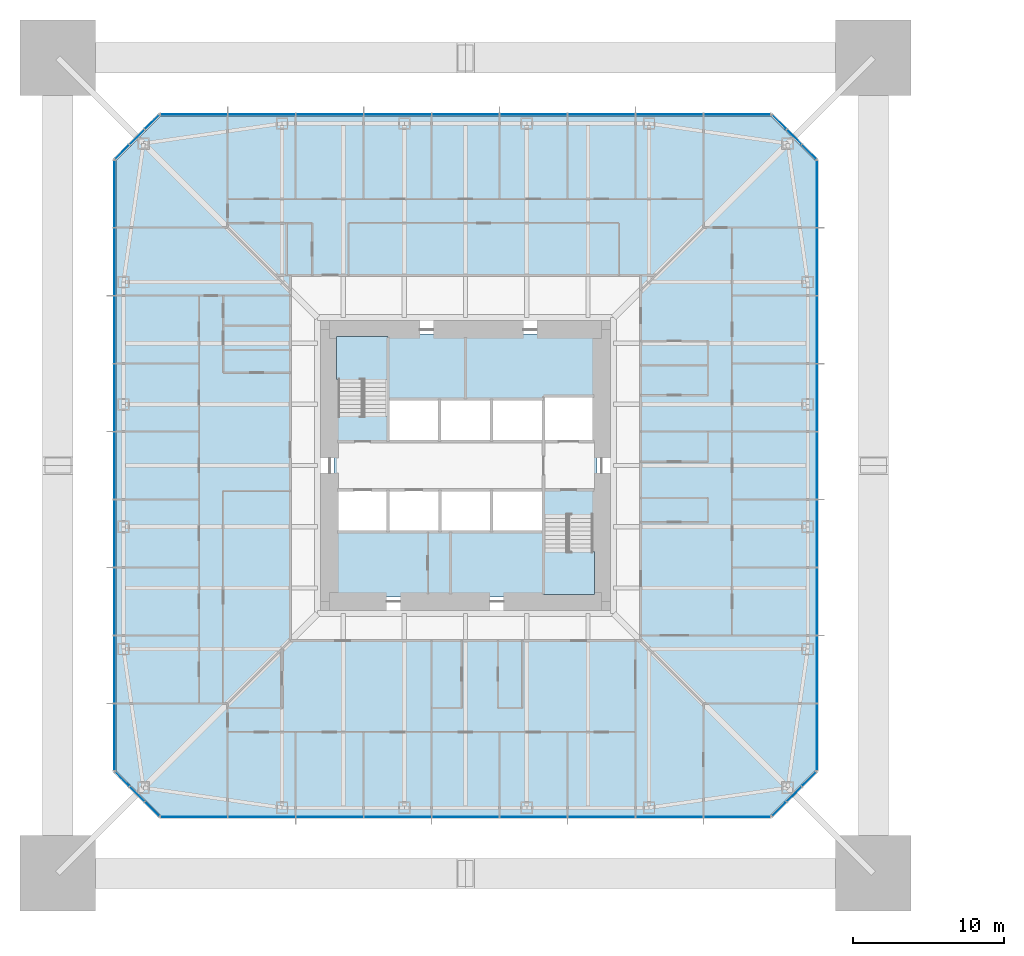
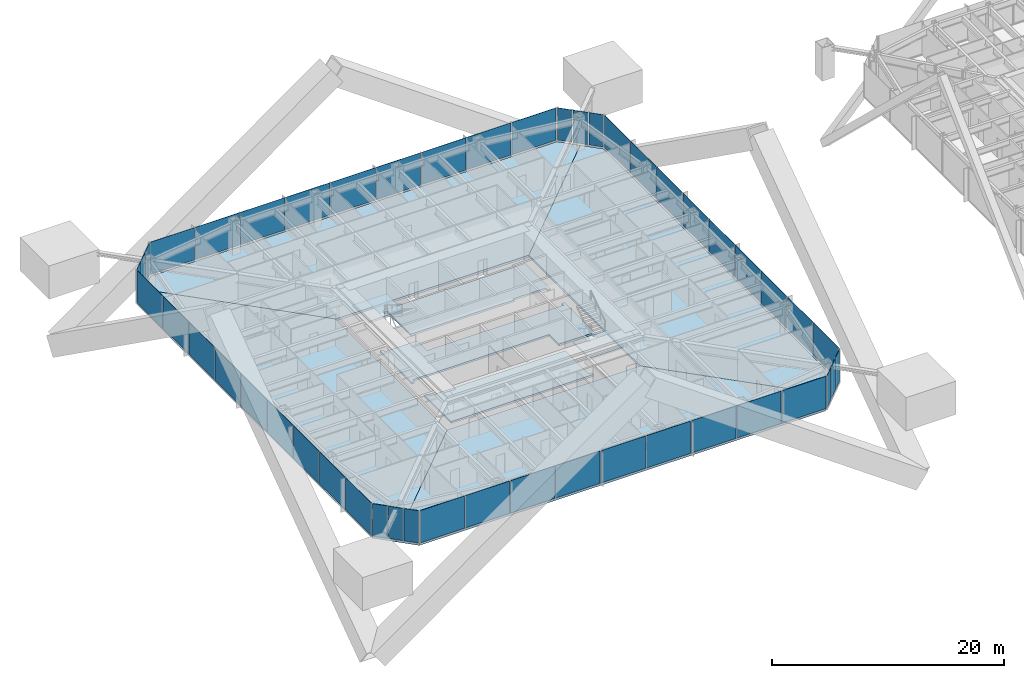
# One storey, part 14 of 28: 48 plates, 9 slabs, 10 elements without a shape of their own.
"""IFC4 building model written with IfcOpenShell, lengths in metres."""

from ifc_helpers import new_model, si_unit, direction, frame, origin, origin_2d, place, context, subcontext, project, spatial, polyline, rectangle, outline, extrude, material, layer, layer_set, constituent, constituent_set, type_object, element, aggregate, save


model = new_model("IFC4")

# Units and contexts
model_context = context("Model", 3, precision=1e-05, world=origin(), true_north=direction((0.0, 1.0)))
body_context = subcontext(model_context, "Body", "Model", "MODEL_VIEW")
ifc_project = project(units=[si_unit("LENGTHUNIT", "METRE"), si_unit("AREAUNIT", "SQUARE_METRE"), si_unit("VOLUMEUNIT", "CUBIC_METRE"), si_unit("PLANEANGLEUNIT", "RADIAN"), si_unit("MASSUNIT", "GRAM", prefix="KILO")], contexts=[model_context])

# Site, building, storey
site_placement = place(None, origin())
site = spatial("IfcSite", under=ifc_project, at=site_placement, CompositionType="ELEMENT")
building_placement = place(site_placement, origin())
building = spatial("IfcBuilding", under=site, at=building_placement, Name="Iwan Alto Co-Living Towers", CompositionType="ELEMENT")
storey_placement = place(building_placement, frame((0.0, 0.0, 43.0)))
storey = spatial("IfcBuildingStorey", under=building, at=storey_placement, Name="L11", CompositionType="ELEMENT", Elevation=43.0)

# Slabs
ifc_material_1 = material(Name="Concrete f'c 30 MPa", Category="concrete")
ifc_layer_1 = layer(ifc_material_1, 0.199951171875)
ifc_layer_set_1 = layer_set([ifc_layer_1], Name="CORE FLOOR SLAB 200")
slab_type_1 = type_object("IfcSlabType", Name="CORE FLOOR SLAB 200", PredefinedType="FLOOR", material=ifc_layer_set_1)
slab_1_placement = place(storey_placement, frame((0.0, 0.0, -0.199951171875)))
element("IfcSlab", 1, at=slab_1_placement, inside=storey, type_object=slab_type_1, Name="T1 core floor L11", PredefinedType="FLOOR", context=body_context, shape_type="SweptSolid", body=[
    extrude(outline(polyline([(8.699951171875, -3.580078125), (8.39990234375, -3.580078125), (8.39990234375, -3.27001953125), (5.14990234375, -3.27001953125), (5.14990234375, -1.60009765625), (1.72509765625, -1.60009765625), (-1.699951171875, -1.60009765625), (-5.125, -1.60009765625), (-8.39990234375, -1.60009765625), (-8.39990234375, -1.909912109375), (-8.699951171875, -1.909912109375), (-8.699951171875, 3.580078125), (-8.39990234375, 3.580078125), (-8.39990234375, 3.27001953125), (-5.14990234375, 3.27001953125), (-5.14990234375, 1.60009765625), (-1.717041015625, 1.60009765625), (1.717041015625, 1.60009765625), (5.14990234375, 1.60009765625), (8.39990234375, 1.60009765625), (8.39990234375, 1.909912109375), (8.699951171875, 1.909912109375), (8.699951171875, -3.580078125)])), origin(), (0.0, 0.0, 1.0), 0.199951171875),
])
slab_2_placement = place(storey_placement, frame((0.0, 0.0, -0.199951171875)))
element("IfcSlab", 2, at=slab_2_placement, inside=storey, type_object=slab_type_1, Name="T1 core floor L11", PredefinedType="FLOOR", context=body_context, shape_type="SweptSolid", body=[
    extrude(outline(polyline([(-1.699951171875, -4.39990234375), (1.72509765625, -4.39990234375), (5.14990234375, -4.39990234375), (5.14990234375, -8.39990234375), (5.4599609375, -8.39990234375), (5.4599609375, -8.699951171875), (-8.699951171875, -8.699951171875), (-8.699951171875, -4.090087890625), (-8.39990234375, -4.090087890625), (-8.39990234375, -4.39990234375), (-5.125, -4.39990234375), (-1.699951171875, -4.39990234375)])), origin(), (0.0, 0.0, 1.0), 0.199951171875),
])
slab_3_placement = place(storey_placement, frame((0.0, 0.0, -0.199951171875)))
element("IfcSlab", 3, at=slab_3_placement, inside=storey, type_object=slab_type_1, Name="T1 core floor L11", PredefinedType="FLOOR", context=body_context, shape_type="SweptSolid", body=[
    extrude(outline(polyline([(1.717041015625, 4.39990234375), (-1.717041015625, 4.39990234375), (-5.14990234375, 4.39990234375), (-5.14990234375, 8.39990234375), (-5.4599609375, 8.39990234375), (-5.4599609375, 8.699951171875), (8.699951171875, 8.699951171875), (8.699951171875, 4.2900390625), (8.39990234375, 4.2900390625), (8.39990234375, 4.60009765625), (5.14990234375, 4.60009765625), (5.14990234375, 4.39990234375), (1.717041015625, 4.39990234375)])), origin(), (0.0, 0.0, 1.0), 0.199951171875),
])

# Curtain wall, plates
ifc_material_2 = material(Name="Bronze aluminium unitised frame", Category="aluminium")
curtain_wall_type_1 = type_object("IfcCurtainWallType", Name="CURTAIN WALL CW-A", PredefinedType="NOTDEFINED", material=ifc_material_2)
curtain_wall_1_placement = place(storey_placement, origin())
curtain_wall_1 = element("IfcCurtainWall", 4, at=curtain_wall_1_placement, inside=storey, type_object=curtain_wall_type_1, Name="T1 curtain wall S L11", PredefinedType="NOTDEFINED")
ifc_material_3 = material(Name="Bronze-tinted insulating glass", Category="glass")
ifc_layer_2 = layer(ifc_material_3, 0.031982421875)
ifc_layer_set_2 = layer_set([ifc_layer_2], Name="CW-A PANEL TINTED IGU 32")
plate_type_1 = type_object("IfcPlateType", Name="CW-A PANEL TINTED IGU 32", PredefinedType="CURTAIN_PANEL", material=ifc_layer_set_2)
plate_1_placement = place(storey_placement, frame((-17.97998046875, -23.25, 0.10009765625), z_axis=(0.0, 0.0, 1.0), x_axis=(1.0, 0.0, 0.0)))
plate_1 = element("IfcPlate", 5, at=plate_1_placement, type_object=plate_type_1, Name="CW-A panel 1.1", PredefinedType="CURTAIN_PANEL", context=body_context, shape_type="SweptSolid", body=[
    extrude(rectangle(XDim=4.3798828125, YDim=0.031982421875, at=origin_2d()), origin(), (0.0, 0.0, 1.0), 3.39990234375),
])
plate_2_placement = place(storey_placement, frame((-13.5, -23.25, 0.10009765625), z_axis=(0.0, 0.0, 1.0), x_axis=(1.0, 0.0, 0.0)))
plate_2 = element("IfcPlate", 6, at=plate_2_placement, type_object=plate_type_1, Name="CW-A panel 2.1", PredefinedType="CURTAIN_PANEL", context=body_context, shape_type="SweptSolid", body=[
    extrude(rectangle(XDim=4.419921875, YDim=0.031982421875, at=origin_2d()), origin(), (0.0, 0.0, 1.0), 3.39990234375),
])
plate_3_placement = place(storey_placement, frame((-9.0, -23.25, 0.10009765625), z_axis=(0.0, 0.0, 1.0), x_axis=(1.0, 0.0, 0.0)))
plate_3 = element("IfcPlate", 7, at=plate_3_placement, type_object=plate_type_1, Name="CW-A panel 3.1", PredefinedType="CURTAIN_PANEL", context=body_context, shape_type="SweptSolid", body=[
    extrude(rectangle(XDim=4.419921875, YDim=0.031982421875, at=origin_2d()), origin(), (0.0, 0.0, 1.0), 3.39990234375),
])
plate_4_placement = place(storey_placement, frame((-4.5, -23.25, 0.10009765625), z_axis=(0.0, 0.0, 1.0), x_axis=(1.0, 0.0, 0.0)))
plate_4 = element("IfcPlate", 8, at=plate_4_placement, type_object=plate_type_1, Name="CW-A panel 4.1", PredefinedType="CURTAIN_PANEL", context=body_context, shape_type="SweptSolid", body=[
    extrude(rectangle(XDim=4.419921875, YDim=0.031982421875, at=origin_2d()), origin(), (0.0, 0.0, 1.0), 3.39990234375),
])
plate_5_placement = place(storey_placement, frame((0.0, -23.25, 0.10009765625), z_axis=(0.0, 0.0, 1.0), x_axis=(1.0, 0.0, 0.0)))
plate_5 = element("IfcPlate", 9, at=plate_5_placement, type_object=plate_type_1, Name="CW-A panel 5.1", PredefinedType="CURTAIN_PANEL", context=body_context, shape_type="SweptSolid", body=[
    extrude(rectangle(XDim=4.419921875, YDim=0.031982421875, at=origin_2d()), origin(), (0.0, 0.0, 1.0), 3.39990234375),
])
plate_6_placement = place(storey_placement, frame((4.5, -23.25, 0.10009765625), z_axis=(0.0, 0.0, 1.0), x_axis=(1.0, 0.0, 0.0)))
plate_6 = element("IfcPlate", 10, at=plate_6_placement, type_object=plate_type_1, Name="CW-A panel 6.1", PredefinedType="CURTAIN_PANEL", context=body_context, shape_type="SweptSolid", body=[
    extrude(rectangle(XDim=4.419921875, YDim=0.031982421875, at=origin_2d()), origin(), (0.0, 0.0, 1.0), 3.39990234375),
])
plate_7_placement = place(storey_placement, frame((9.0, -23.25, 0.10009765625), z_axis=(0.0, 0.0, 1.0), x_axis=(1.0, 0.0, 0.0)))
plate_7 = element("IfcPlate", 11, at=plate_7_placement, type_object=plate_type_1, Name="CW-A panel 7.1", PredefinedType="CURTAIN_PANEL", context=body_context, shape_type="SweptSolid", body=[
    extrude(rectangle(XDim=4.419921875, YDim=0.031982421875, at=origin_2d()), origin(), (0.0, 0.0, 1.0), 3.39990234375),
])
plate_8_placement = place(storey_placement, frame((13.5, -23.25, 0.10009765625), z_axis=(0.0, 0.0, 1.0), x_axis=(1.0, 0.0, 0.0)))
plate_8 = element("IfcPlate", 12, at=plate_8_placement, type_object=plate_type_1, Name="CW-A panel 8.1", PredefinedType="CURTAIN_PANEL", context=body_context, shape_type="SweptSolid", body=[
    extrude(rectangle(XDim=4.419921875, YDim=0.031982421875, at=origin_2d()), origin(), (0.0, 0.0, 1.0), 3.39990234375),
])
plate_9_placement = place(storey_placement, frame((17.97998046875, -23.25, 0.10009765625), z_axis=(0.0, 0.0, 1.0), x_axis=(1.0, 0.0, 0.0)))
plate_9 = element("IfcPlate", 13, at=plate_9_placement, type_object=plate_type_1, Name="CW-A panel 9.1", PredefinedType="CURTAIN_PANEL", context=body_context, shape_type="SweptSolid", body=[
    extrude(rectangle(XDim=4.3798828125, YDim=0.031982421875, at=origin_2d()), origin(), (0.0, 0.0, 1.0), 3.39990234375),
])
aggregate(curtain_wall_1, [plate_1, plate_2, plate_3, plate_4, plate_5, plate_6, plate_7, plate_8, plate_9])

curtain_wall_2_placement = place(storey_placement, origin())
curtain_wall_2 = element("IfcCurtainWall", 14, at=curtain_wall_2_placement, inside=storey, type_object=curtain_wall_type_1, Name="T1 curtain wall E L11", PredefinedType="NOTDEFINED")
plate_10_placement = place(storey_placement, frame((23.25, -17.97998046875, 0.10009765625), z_axis=(0.0, 0.0, 1.0), x_axis=(0.0, 1.0, 0.0)))
plate_10 = element("IfcPlate", 15, at=plate_10_placement, type_object=plate_type_1, Name="CW-A panel 1.1", PredefinedType="CURTAIN_PANEL", context=body_context, shape_type="SweptSolid", body=[
    extrude(rectangle(XDim=4.3798828125, YDim=0.031982421875, at=origin_2d()), origin(), (0.0, 0.0, 1.0), 3.39990234375),
])
plate_11_placement = place(storey_placement, frame((23.25, -13.5, 0.10009765625), z_axis=(0.0, 0.0, 1.0), x_axis=(0.0, 1.0, 0.0)))
plate_11 = element("IfcPlate", 16, at=plate_11_placement, type_object=plate_type_1, Name="CW-A panel 2.1", PredefinedType="CURTAIN_PANEL", context=body_context, shape_type="SweptSolid", body=[
    extrude(rectangle(XDim=4.419921875, YDim=0.031982421875, at=origin_2d()), origin(), (0.0, 0.0, 1.0), 3.39990234375),
])
plate_12_placement = place(storey_placement, frame((23.25, -9.0, 0.10009765625), z_axis=(0.0, 0.0, 1.0), x_axis=(0.0, 1.0, 0.0)))
plate_12 = element("IfcPlate", 17, at=plate_12_placement, type_object=plate_type_1, Name="CW-A panel 3.1", PredefinedType="CURTAIN_PANEL", context=body_context, shape_type="SweptSolid", body=[
    extrude(rectangle(XDim=4.419921875, YDim=0.031982421875, at=origin_2d()), origin(), (0.0, 0.0, 1.0), 3.39990234375),
])
plate_13_placement = place(storey_placement, frame((23.25, -4.5, 0.10009765625), z_axis=(0.0, 0.0, 1.0), x_axis=(0.0, 1.0, 0.0)))
plate_13 = element("IfcPlate", 18, at=plate_13_placement, type_object=plate_type_1, Name="CW-A panel 4.1", PredefinedType="CURTAIN_PANEL", context=body_context, shape_type="SweptSolid", body=[
    extrude(rectangle(XDim=4.419921875, YDim=0.031982421875, at=origin_2d()), origin(), (0.0, 0.0, 1.0), 3.39990234375),
])
plate_14_placement = place(storey_placement, frame((23.25, 0.0, 0.10009765625), z_axis=(0.0, 0.0, 1.0), x_axis=(0.0, 1.0, 0.0)))
plate_14 = element("IfcPlate", 19, at=plate_14_placement, type_object=plate_type_1, Name="CW-A panel 5.1", PredefinedType="CURTAIN_PANEL", context=body_context, shape_type="SweptSolid", body=[
    extrude(rectangle(XDim=4.419921875, YDim=0.031982421875, at=origin_2d()), origin(), (0.0, 0.0, 1.0), 3.39990234375),
])
plate_15_placement = place(storey_placement, frame((23.25, 4.5, 0.10009765625), z_axis=(0.0, 0.0, 1.0), x_axis=(0.0, 1.0, 0.0)))
plate_15 = element("IfcPlate", 20, at=plate_15_placement, type_object=plate_type_1, Name="CW-A panel 6.1", PredefinedType="CURTAIN_PANEL", context=body_context, shape_type="SweptSolid", body=[
    extrude(rectangle(XDim=4.419921875, YDim=0.031982421875, at=origin_2d()), origin(), (0.0, 0.0, 1.0), 3.39990234375),
])
plate_16_placement = place(storey_placement, frame((23.25, 9.0, 0.10009765625), z_axis=(0.0, 0.0, 1.0), x_axis=(0.0, 1.0, 0.0)))
plate_16 = element("IfcPlate", 21, at=plate_16_placement, type_object=plate_type_1, Name="CW-A panel 7.1", PredefinedType="CURTAIN_PANEL", context=body_context, shape_type="SweptSolid", body=[
    extrude(rectangle(XDim=4.419921875, YDim=0.031982421875, at=origin_2d()), origin(), (0.0, 0.0, 1.0), 3.39990234375),
])
plate_17_placement = place(storey_placement, frame((23.25, 13.5, 0.10009765625), z_axis=(0.0, 0.0, 1.0), x_axis=(0.0, 1.0, 0.0)))
plate_17 = element("IfcPlate", 22, at=plate_17_placement, type_object=plate_type_1, Name="CW-A panel 8.1", PredefinedType="CURTAIN_PANEL", context=body_context, shape_type="SweptSolid", body=[
    extrude(rectangle(XDim=4.419921875, YDim=0.031982421875, at=origin_2d()), origin(), (0.0, 0.0, 1.0), 3.39990234375),
])
plate_18_placement = place(storey_placement, frame((23.25, 17.97998046875, 0.10009765625), z_axis=(0.0, 0.0, 1.0), x_axis=(0.0, 1.0, 0.0)))
plate_18 = element("IfcPlate", 23, at=plate_18_placement, type_object=plate_type_1, Name="CW-A panel 9.1", PredefinedType="CURTAIN_PANEL", context=body_context, shape_type="SweptSolid", body=[
    extrude(rectangle(XDim=4.3798828125, YDim=0.031982421875, at=origin_2d()), origin(), (0.0, 0.0, 1.0), 3.39990234375),
])
aggregate(curtain_wall_2, [plate_10, plate_11, plate_12, plate_13, plate_14, plate_15, plate_16, plate_17, plate_18])

curtain_wall_3_placement = place(storey_placement, origin())
curtain_wall_3 = element("IfcCurtainWall", 24, at=curtain_wall_3_placement, inside=storey, type_object=curtain_wall_type_1, Name="T1 curtain wall N L11", PredefinedType="NOTDEFINED")
plate_19_placement = place(storey_placement, frame((17.97998046875, 23.25, 0.10009765625), z_axis=(0.0, 0.0, 1.0), x_axis=(-1.0, 0.0, 0.0)))
plate_19 = element("IfcPlate", 25, at=plate_19_placement, type_object=plate_type_1, Name="CW-A panel 1.1", PredefinedType="CURTAIN_PANEL", context=body_context, shape_type="SweptSolid", body=[
    extrude(rectangle(XDim=4.3798828125, YDim=0.031982421875, at=origin_2d()), origin(), (0.0, 0.0, 1.0), 3.39990234375),
])
plate_20_placement = place(storey_placement, frame((13.5, 23.25, 0.10009765625), z_axis=(0.0, 0.0, 1.0), x_axis=(-1.0, 0.0, 0.0)))
plate_20 = element("IfcPlate", 26, at=plate_20_placement, type_object=plate_type_1, Name="CW-A panel 2.1", PredefinedType="CURTAIN_PANEL", context=body_context, shape_type="SweptSolid", body=[
    extrude(rectangle(XDim=4.419921875, YDim=0.031982421875, at=origin_2d()), origin(), (0.0, 0.0, 1.0), 3.39990234375),
])
plate_21_placement = place(storey_placement, frame((9.0, 23.25, 0.10009765625), z_axis=(0.0, 0.0, 1.0), x_axis=(-1.0, 0.0, 0.0)))
plate_21 = element("IfcPlate", 27, at=plate_21_placement, type_object=plate_type_1, Name="CW-A panel 3.1", PredefinedType="CURTAIN_PANEL", context=body_context, shape_type="SweptSolid", body=[
    extrude(rectangle(XDim=4.419921875, YDim=0.031982421875, at=origin_2d()), origin(), (0.0, 0.0, 1.0), 3.39990234375),
])
plate_22_placement = place(storey_placement, frame((4.5, 23.25, 0.10009765625), z_axis=(0.0, 0.0, 1.0), x_axis=(-1.0, 0.0, 0.0)))
plate_22 = element("IfcPlate", 28, at=plate_22_placement, type_object=plate_type_1, Name="CW-A panel 4.1", PredefinedType="CURTAIN_PANEL", context=body_context, shape_type="SweptSolid", body=[
    extrude(rectangle(XDim=4.419921875, YDim=0.031982421875, at=origin_2d()), origin(), (0.0, 0.0, 1.0), 3.39990234375),
])
plate_23_placement = place(storey_placement, frame((0.0, 23.25, 0.10009765625), z_axis=(0.0, 0.0, 1.0), x_axis=(-1.0, 0.0, 0.0)))
plate_23 = element("IfcPlate", 29, at=plate_23_placement, type_object=plate_type_1, Name="CW-A panel 5.1", PredefinedType="CURTAIN_PANEL", context=body_context, shape_type="SweptSolid", body=[
    extrude(rectangle(XDim=4.419921875, YDim=0.031982421875, at=origin_2d()), origin(), (0.0, 0.0, 1.0), 3.39990234375),
])
plate_24_placement = place(storey_placement, frame((-4.5, 23.25, 0.10009765625), z_axis=(0.0, 0.0, 1.0), x_axis=(-1.0, 0.0, 0.0)))
plate_24 = element("IfcPlate", 30, at=plate_24_placement, type_object=plate_type_1, Name="CW-A panel 6.1", PredefinedType="CURTAIN_PANEL", context=body_context, shape_type="SweptSolid", body=[
    extrude(rectangle(XDim=4.419921875, YDim=0.031982421875, at=origin_2d()), origin(), (0.0, 0.0, 1.0), 3.39990234375),
])
plate_25_placement = place(storey_placement, frame((-9.0, 23.25, 0.10009765625), z_axis=(0.0, 0.0, 1.0), x_axis=(-1.0, 0.0, 0.0)))
plate_25 = element("IfcPlate", 31, at=plate_25_placement, type_object=plate_type_1, Name="CW-A panel 7.1", PredefinedType="CURTAIN_PANEL", context=body_context, shape_type="SweptSolid", body=[
    extrude(rectangle(XDim=4.419921875, YDim=0.031982421875, at=origin_2d()), origin(), (0.0, 0.0, 1.0), 3.39990234375),
])
plate_26_placement = place(storey_placement, frame((-13.5, 23.25, 0.10009765625), z_axis=(0.0, 0.0, 1.0), x_axis=(-1.0, 0.0, 0.0)))
plate_26 = element("IfcPlate", 32, at=plate_26_placement, type_object=plate_type_1, Name="CW-A panel 8.1", PredefinedType="CURTAIN_PANEL", context=body_context, shape_type="SweptSolid", body=[
    extrude(rectangle(XDim=4.419921875, YDim=0.031982421875, at=origin_2d()), origin(), (0.0, 0.0, 1.0), 3.39990234375),
])
plate_27_placement = place(storey_placement, frame((-17.97998046875, 23.25, 0.10009765625), z_axis=(0.0, 0.0, 1.0), x_axis=(-1.0, 0.0, 0.0)))
plate_27 = element("IfcPlate", 33, at=plate_27_placement, type_object=plate_type_1, Name="CW-A panel 9.1", PredefinedType="CURTAIN_PANEL", context=body_context, shape_type="SweptSolid", body=[
    extrude(rectangle(XDim=4.3798828125, YDim=0.031982421875, at=origin_2d()), origin(), (0.0, 0.0, 1.0), 3.39990234375),
])
aggregate(curtain_wall_3, [plate_19, plate_20, plate_21, plate_22, plate_23, plate_24, plate_25, plate_26, plate_27])

curtain_wall_4_placement = place(storey_placement, origin())
curtain_wall_4 = element("IfcCurtainWall", 34, at=curtain_wall_4_placement, inside=storey, type_object=curtain_wall_type_1, Name="T1 curtain wall W L11", PredefinedType="NOTDEFINED")
plate_28_placement = place(storey_placement, frame((-23.25, 17.97998046875, 0.10009765625), z_axis=(0.0, 0.0, 1.0), x_axis=(0.0, -1.0, 0.0)))
plate_28 = element("IfcPlate", 35, at=plate_28_placement, type_object=plate_type_1, Name="CW-A panel 1.1", PredefinedType="CURTAIN_PANEL", context=body_context, shape_type="SweptSolid", body=[
    extrude(rectangle(XDim=4.3798828125, YDim=0.031982421875, at=origin_2d()), origin(), (0.0, 0.0, 1.0), 3.39990234375),
])
plate_29_placement = place(storey_placement, frame((-23.25, 13.5, 0.10009765625), z_axis=(0.0, 0.0, 1.0), x_axis=(0.0, -1.0, 0.0)))
plate_29 = element("IfcPlate", 36, at=plate_29_placement, type_object=plate_type_1, Name="CW-A panel 2.1", PredefinedType="CURTAIN_PANEL", context=body_context, shape_type="SweptSolid", body=[
    extrude(rectangle(XDim=4.419921875, YDim=0.031982421875, at=origin_2d()), origin(), (0.0, 0.0, 1.0), 3.39990234375),
])
plate_30_placement = place(storey_placement, frame((-23.25, 9.0, 0.10009765625), z_axis=(0.0, 0.0, 1.0), x_axis=(0.0, -1.0, 0.0)))
plate_30 = element("IfcPlate", 37, at=plate_30_placement, type_object=plate_type_1, Name="CW-A panel 3.1", PredefinedType="CURTAIN_PANEL", context=body_context, shape_type="SweptSolid", body=[
    extrude(rectangle(XDim=4.419921875, YDim=0.031982421875, at=origin_2d()), origin(), (0.0, 0.0, 1.0), 3.39990234375),
])
plate_31_placement = place(storey_placement, frame((-23.25, 4.5, 0.10009765625), z_axis=(0.0, 0.0, 1.0), x_axis=(0.0, -1.0, 0.0)))
plate_31 = element("IfcPlate", 38, at=plate_31_placement, type_object=plate_type_1, Name="CW-A panel 4.1", PredefinedType="CURTAIN_PANEL", context=body_context, shape_type="SweptSolid", body=[
    extrude(rectangle(XDim=4.419921875, YDim=0.031982421875, at=origin_2d()), origin(), (0.0, 0.0, 1.0), 3.39990234375),
])
plate_32_placement = place(storey_placement, frame((-23.25, 0.0, 0.10009765625), z_axis=(0.0, 0.0, 1.0), x_axis=(0.0, -1.0, 0.0)))
plate_32 = element("IfcPlate", 39, at=plate_32_placement, type_object=plate_type_1, Name="CW-A panel 5.1", PredefinedType="CURTAIN_PANEL", context=body_context, shape_type="SweptSolid", body=[
    extrude(rectangle(XDim=4.419921875, YDim=0.031982421875, at=origin_2d()), origin(), (0.0, 0.0, 1.0), 3.39990234375),
])
plate_33_placement = place(storey_placement, frame((-23.25, -4.5, 0.10009765625), z_axis=(0.0, 0.0, 1.0), x_axis=(0.0, -1.0, 0.0)))
plate_33 = element("IfcPlate", 40, at=plate_33_placement, type_object=plate_type_1, Name="CW-A panel 6.1", PredefinedType="CURTAIN_PANEL", context=body_context, shape_type="SweptSolid", body=[
    extrude(rectangle(XDim=4.419921875, YDim=0.031982421875, at=origin_2d()), origin(), (0.0, 0.0, 1.0), 3.39990234375),
])
plate_34_placement = place(storey_placement, frame((-23.25, -9.0, 0.10009765625), z_axis=(0.0, 0.0, 1.0), x_axis=(0.0, -1.0, 0.0)))
plate_34 = element("IfcPlate", 41, at=plate_34_placement, type_object=plate_type_1, Name="CW-A panel 7.1", PredefinedType="CURTAIN_PANEL", context=body_context, shape_type="SweptSolid", body=[
    extrude(rectangle(XDim=4.419921875, YDim=0.031982421875, at=origin_2d()), origin(), (0.0, 0.0, 1.0), 3.39990234375),
])
plate_35_placement = place(storey_placement, frame((-23.25, -13.5, 0.10009765625), z_axis=(0.0, 0.0, 1.0), x_axis=(0.0, -1.0, 0.0)))
plate_35 = element("IfcPlate", 42, at=plate_35_placement, type_object=plate_type_1, Name="CW-A panel 8.1", PredefinedType="CURTAIN_PANEL", context=body_context, shape_type="SweptSolid", body=[
    extrude(rectangle(XDim=4.419921875, YDim=0.031982421875, at=origin_2d()), origin(), (0.0, 0.0, 1.0), 3.39990234375),
])
plate_36_placement = place(storey_placement, frame((-23.25, -17.97998046875, 0.10009765625), z_axis=(0.0, 0.0, 1.0), x_axis=(0.0, -1.0, 0.0)))
plate_36 = element("IfcPlate", 43, at=plate_36_placement, type_object=plate_type_1, Name="CW-A panel 9.1", PredefinedType="CURTAIN_PANEL", context=body_context, shape_type="SweptSolid", body=[
    extrude(rectangle(XDim=4.3798828125, YDim=0.031982421875, at=origin_2d()), origin(), (0.0, 0.0, 1.0), 3.39990234375),
])
aggregate(curtain_wall_4, [plate_28, plate_29, plate_30, plate_31, plate_32, plate_33, plate_34, plate_35, plate_36])

ifc_material_4 = material(Name="Bronze aluminium unitised frame", Category="aluminium")
curtain_wall_type_2 = type_object("IfcCurtainWallType", Name="CURTAIN WALL CW-B", PredefinedType="NOTDEFINED", material=ifc_material_4)
curtain_wall_5_placement = place(storey_placement, origin())
curtain_wall_5 = element("IfcCurtainWall", 44, at=curtain_wall_5_placement, inside=storey, type_object=curtain_wall_type_2, Name="T1 chamfer curtain wall SE L11", PredefinedType="NOTDEFINED")
ifc_material_5 = material(Name="Bronze-tinted insulating glass", Category="glass")
ifc_layer_3 = layer(ifc_material_5, 0.031982421875)
ifc_layer_set_3 = layer_set([ifc_layer_3], Name="CW-B PANEL TINTED IGU 32")
plate_type_2 = type_object("IfcPlateType", Name="CW-B PANEL TINTED IGU 32", PredefinedType="CURTAIN_PANEL", material=ifc_layer_set_3)
plate_37_placement = place(storey_placement, frame((20.76416015625, -22.73583984375, 0.10009765625), z_axis=(0.0, 0.0, 1.0), x_axis=(0.707106781187, 0.707106781187, 0.0)))
plate_37 = element("IfcPlate", 45, at=plate_37_placement, type_object=plate_type_2, Name="CW-B panel 1.1", PredefinedType="CURTAIN_PANEL", context=body_context, shape_type="SweptSolid", body=[
    extrude(rectangle(XDim=1.294189453125, YDim=0.031982421875, at=origin_2d()), origin(), (0.0, 0.0, 1.0), 3.39990234375),
])
plate_38_placement = place(storey_placement, frame((21.75, -21.75, 0.10009765625), z_axis=(0.0, 0.0, 1.0), x_axis=(0.707106781187, 0.707106781187, 0.0)))
plate_38 = element("IfcPlate", 46, at=plate_38_placement, type_object=plate_type_2, Name="CW-B panel 2.1", PredefinedType="CURTAIN_PANEL", context=body_context, shape_type="SweptSolid", body=[
    extrude(rectangle(XDim=1.334228515625, YDim=0.031982421875, at=origin_2d()), origin(), (0.0, 0.0, 1.0), 3.39990234375),
])
plate_39_placement = place(storey_placement, frame((22.73583984375, -20.76416015625, 0.10009765625), z_axis=(0.0, 0.0, 1.0), x_axis=(0.707106781187, 0.707106781187, 0.0)))
plate_39 = element("IfcPlate", 47, at=plate_39_placement, type_object=plate_type_2, Name="CW-B panel 3.1", PredefinedType="CURTAIN_PANEL", context=body_context, shape_type="SweptSolid", body=[
    extrude(rectangle(XDim=1.294189453125, YDim=0.031982421875, at=origin_2d()), origin(), (0.0, 0.0, 1.0), 3.39990234375),
])
aggregate(curtain_wall_5, [plate_37, plate_38, plate_39])

curtain_wall_6_placement = place(storey_placement, origin())
curtain_wall_6 = element("IfcCurtainWall", 48, at=curtain_wall_6_placement, inside=storey, type_object=curtain_wall_type_2, Name="T1 chamfer curtain wall NE L11", PredefinedType="NOTDEFINED")
plate_40_placement = place(storey_placement, frame((22.73583984375, 20.76416015625, 0.10009765625), z_axis=(0.0, 0.0, 1.0), x_axis=(-0.707106781187, 0.707106781187, 0.0)))
plate_40 = element("IfcPlate", 49, at=plate_40_placement, type_object=plate_type_2, Name="CW-B panel 1.1", PredefinedType="CURTAIN_PANEL", context=body_context, shape_type="SweptSolid", body=[
    extrude(rectangle(XDim=1.294189453125, YDim=0.031982421875, at=origin_2d()), origin(), (0.0, 0.0, 1.0), 3.39990234375),
])
plate_41_placement = place(storey_placement, frame((21.75, 21.75, 0.10009765625), z_axis=(0.0, 0.0, 1.0), x_axis=(-0.707106781187, 0.707106781187, 0.0)))
plate_41 = element("IfcPlate", 50, at=plate_41_placement, type_object=plate_type_2, Name="CW-B panel 2.1", PredefinedType="CURTAIN_PANEL", context=body_context, shape_type="SweptSolid", body=[
    extrude(rectangle(XDim=1.334228515625, YDim=0.031982421875, at=origin_2d()), origin(), (0.0, 0.0, 1.0), 3.39990234375),
])
plate_42_placement = place(storey_placement, frame((20.76416015625, 22.73583984375, 0.10009765625), z_axis=(0.0, 0.0, 1.0), x_axis=(-0.707106781187, 0.707106781187, 0.0)))
plate_42 = element("IfcPlate", 51, at=plate_42_placement, type_object=plate_type_2, Name="CW-B panel 3.1", PredefinedType="CURTAIN_PANEL", context=body_context, shape_type="SweptSolid", body=[
    extrude(rectangle(XDim=1.294189453125, YDim=0.031982421875, at=origin_2d()), origin(), (0.0, 0.0, 1.0), 3.39990234375),
])
aggregate(curtain_wall_6, [plate_40, plate_41, plate_42])

curtain_wall_7_placement = place(storey_placement, origin())
curtain_wall_7 = element("IfcCurtainWall", 52, at=curtain_wall_7_placement, inside=storey, type_object=curtain_wall_type_2, Name="T1 chamfer curtain wall NW L11", PredefinedType="NOTDEFINED")
plate_43_placement = place(storey_placement, frame((-20.76416015625, 22.73583984375, 0.10009765625), z_axis=(0.0, 0.0, 1.0), x_axis=(-0.707106781187, -0.707106781187, 0.0)))
plate_43 = element("IfcPlate", 53, at=plate_43_placement, type_object=plate_type_2, Name="CW-B panel 1.1", PredefinedType="CURTAIN_PANEL", context=body_context, shape_type="SweptSolid", body=[
    extrude(rectangle(XDim=1.294189453125, YDim=0.031982421875, at=origin_2d()), origin(), (0.0, 0.0, 1.0), 3.39990234375),
])
plate_44_placement = place(storey_placement, frame((-21.75, 21.75, 0.10009765625), z_axis=(0.0, 0.0, 1.0), x_axis=(-0.707106781187, -0.707106781187, 0.0)))
plate_44 = element("IfcPlate", 54, at=plate_44_placement, type_object=plate_type_2, Name="CW-B panel 2.1", PredefinedType="CURTAIN_PANEL", context=body_context, shape_type="SweptSolid", body=[
    extrude(rectangle(XDim=1.334228515625, YDim=0.031982421875, at=origin_2d()), origin(), (0.0, 0.0, 1.0), 3.39990234375),
])
plate_45_placement = place(storey_placement, frame((-22.73583984375, 20.76416015625, 0.10009765625), z_axis=(0.0, 0.0, 1.0), x_axis=(-0.707106781187, -0.707106781187, 0.0)))
plate_45 = element("IfcPlate", 55, at=plate_45_placement, type_object=plate_type_2, Name="CW-B panel 3.1", PredefinedType="CURTAIN_PANEL", context=body_context, shape_type="SweptSolid", body=[
    extrude(rectangle(XDim=1.294189453125, YDim=0.031982421875, at=origin_2d()), origin(), (0.0, 0.0, 1.0), 3.39990234375),
])
aggregate(curtain_wall_7, [plate_43, plate_44, plate_45])

curtain_wall_8_placement = place(storey_placement, origin())
curtain_wall_8 = element("IfcCurtainWall", 56, at=curtain_wall_8_placement, inside=storey, type_object=curtain_wall_type_2, Name="T1 chamfer curtain wall SW L11", PredefinedType="NOTDEFINED")
plate_46_placement = place(storey_placement, frame((-22.73583984375, -20.76416015625, 0.10009765625), z_axis=(0.0, 0.0, 1.0), x_axis=(0.707106781187, -0.707106781187, 0.0)))
plate_46 = element("IfcPlate", 57, at=plate_46_placement, type_object=plate_type_2, Name="CW-B panel 1.1", PredefinedType="CURTAIN_PANEL", context=body_context, shape_type="SweptSolid", body=[
    extrude(rectangle(XDim=1.294189453125, YDim=0.031982421875, at=origin_2d()), origin(), (0.0, 0.0, 1.0), 3.39990234375),
])
plate_47_placement = place(storey_placement, frame((-21.75, -21.75, 0.10009765625), z_axis=(0.0, 0.0, 1.0), x_axis=(0.707106781187, -0.707106781187, 0.0)))
plate_47 = element("IfcPlate", 58, at=plate_47_placement, type_object=plate_type_2, Name="CW-B panel 2.1", PredefinedType="CURTAIN_PANEL", context=body_context, shape_type="SweptSolid", body=[
    extrude(rectangle(XDim=1.334228515625, YDim=0.031982421875, at=origin_2d()), origin(), (0.0, 0.0, 1.0), 3.39990234375),
])
plate_48_placement = place(storey_placement, frame((-20.76416015625, -22.73583984375, 0.10009765625), z_axis=(0.0, 0.0, 1.0), x_axis=(0.707106781187, -0.707106781187, 0.0)))
plate_48 = element("IfcPlate", 59, at=plate_48_placement, type_object=plate_type_2, Name="CW-B panel 3.1", PredefinedType="CURTAIN_PANEL", context=body_context, shape_type="SweptSolid", body=[
    extrude(rectangle(XDim=1.294189453125, YDim=0.031982421875, at=origin_2d()), origin(), (0.0, 0.0, 1.0), 3.39990234375),
])
aggregate(curtain_wall_8, [plate_46, plate_47, plate_48])

# Stair, slab
ifc_material_6 = material(Name="Steel ASTM A36", Category="steel")
ifc_constituent_1 = constituent(ifc_material_6, Name="Stringers", Category="LoadBearing")
ifc_material_7 = material(Name="Concrete f'c 30 MPa", Category="concrete")
ifc_constituent_2 = constituent(ifc_material_7, Name="Tread fill", Category="Finish")
ifc_constituent_set = constituent_set(constituents=[ifc_constituent_1, ifc_constituent_2], Name="STAIR 3500 TWO-FLIGHT T1 CORE")
stair_type = type_object("IfcStairType", Name="STAIR 3500 TWO-FLIGHT T1 CORE", PredefinedType="HALF_TURN_STAIR", material=ifc_constituent_set)
stair_1_placement = place(storey_placement, origin())
stair_1 = element("IfcStair", 60, at=stair_1_placement, inside=storey, type_object=stair_type, Name="Stair T1-S1 L11 to L12", PredefinedType="HALF_TURN_STAIR")
ifc_material_8 = material(Name="Concrete f'c 30 MPa", Category="concrete")
ifc_layer_4 = layer(ifc_material_8, 0.199951171875)
ifc_layer_set_4 = layer_set([ifc_layer_4], Name="STAIR LANDING 200")
slab_type_2 = type_object("IfcSlabType", Name="STAIR LANDING 200", PredefinedType="LANDING", material=ifc_layer_set_4)
slab_4_placement = place(storey_placement, frame((0.0, 0.0, 1.550048828125)))
slab_4 = element("IfcSlab", 61, at=slab_4_placement, type_object=slab_type_2, Name="T1-S1 landing 1", PredefinedType="LANDING", context=body_context, shape_type="SweptSolid", body=[
    extrude(outline(polyline([(-8.550048828125, 5.68994140625), (-8.550048828125, 8.550048828125), (-5.14990234375, 8.550048828125), (-5.14990234375, 5.68994140625), (-8.550048828125, 5.68994140625)])), origin(), (0.0, 0.0, 1.0), 0.199951171875),
])
aggregate(stair_1, [slab_4])

stair_2_placement = place(storey_placement, origin())
stair_2 = element("IfcStair", 62, at=stair_2_placement, inside=storey, type_object=stair_type, Name="Stair T1-S2 L11 to L12", PredefinedType="HALF_TURN_STAIR")
slab_5_placement = place(storey_placement, frame((0.0, 0.0, 1.550048828125)))
slab_5 = element("IfcSlab", 63, at=slab_5_placement, type_object=slab_type_2, Name="T1-S2 landing 1", PredefinedType="LANDING", context=body_context, shape_type="SweptSolid", body=[
    extrude(outline(polyline([(5.14990234375, -5.68994140625), (5.14990234375, -8.550048828125), (8.550048828125, -8.550048828125), (8.550048828125, -5.68994140625), (5.14990234375, -5.68994140625)])), origin(), (0.0, 0.0, 1.0), 0.199951171875),
])
aggregate(stair_2, [slab_5])

# Slabs
ifc_material_9 = material(Name="Concrete f'c 30 MPa", Category="concrete")
ifc_layer_5 = layer(ifc_material_9, 0.22998046875)
ifc_layer_set_5 = layer_set([ifc_layer_5], Name="T1 FLOOR SLAB 230")
slab_type_3 = type_object("IfcSlabType", Name="T1 FLOOR SLAB 230", PredefinedType="FLOOR", material=ifc_layer_set_5)
slab_6_placement = place(storey_placement, frame((0.0, 0.0, -0.22998046875)))
element("IfcSlab", 64, at=slab_6_placement, inside=storey, type_object=slab_type_3, Name="T1 floor slab L11 S pour", PredefinedType="FLOOR", context=body_context, shape_type="SweptSolid", body=[
    extrude(outline(polyline([(20.19140625, -23.14990234375), (-20.19140625, -23.14990234375), (-21.670654296875, -21.670654296875), (-9.60009765625, -9.60009765625), (9.60009765625, -9.60009765625), (21.670654296875, -21.670654296875), (20.19140625, -23.14990234375)])), origin(), (0.0, 0.0, 1.0), 0.22998046875),
])
slab_7_placement = place(storey_placement, frame((0.0, 0.0, -0.22998046875)))
element("IfcSlab", 65, at=slab_7_placement, inside=storey, type_object=slab_type_3, Name="T1 floor slab L11 E pour", PredefinedType="FLOOR", context=body_context, shape_type="SweptSolid", body=[
    extrude(outline(polyline([(23.14990234375, 20.19140625), (23.14990234375, -20.19140625), (21.670654296875, -21.670654296875), (9.60009765625, -9.60009765625), (9.60009765625, 9.60009765625), (21.670654296875, 21.670654296875), (23.14990234375, 20.19140625)])), origin(), (0.0, 0.0, 1.0), 0.22998046875),
])
slab_8_placement = place(storey_placement, frame((0.0, 0.0, -0.22998046875)))
element("IfcSlab", 66, at=slab_8_placement, inside=storey, type_object=slab_type_3, Name="T1 floor slab L11 N pour", PredefinedType="FLOOR", context=body_context, shape_type="SweptSolid", body=[
    extrude(outline(polyline([(-20.19140625, 23.14990234375), (20.19140625, 23.14990234375), (21.670654296875, 21.670654296875), (9.60009765625, 9.60009765625), (-9.60009765625, 9.60009765625), (-21.670654296875, 21.670654296875), (-20.19140625, 23.14990234375)])), origin(), (0.0, 0.0, 1.0), 0.22998046875),
])
slab_9_placement = place(storey_placement, frame((0.0, 0.0, -0.22998046875)))
element("IfcSlab", 67, at=slab_9_placement, inside=storey, type_object=slab_type_3, Name="T1 floor slab L11 W pour", PredefinedType="FLOOR", context=body_context, shape_type="SweptSolid", body=[
    extrude(outline(polyline([(-23.14990234375, 20.19140625), (-21.670654296875, 21.670654296875), (-9.60009765625, 9.60009765625), (-9.60009765625, -9.60009765625), (-21.670654296875, -21.670654296875), (-23.14990234375, -20.19140625), (-23.14990234375, 20.19140625)])), origin(), (0.0, 0.0, 1.0), 0.22998046875),
])

save(model, "model.ifc")
